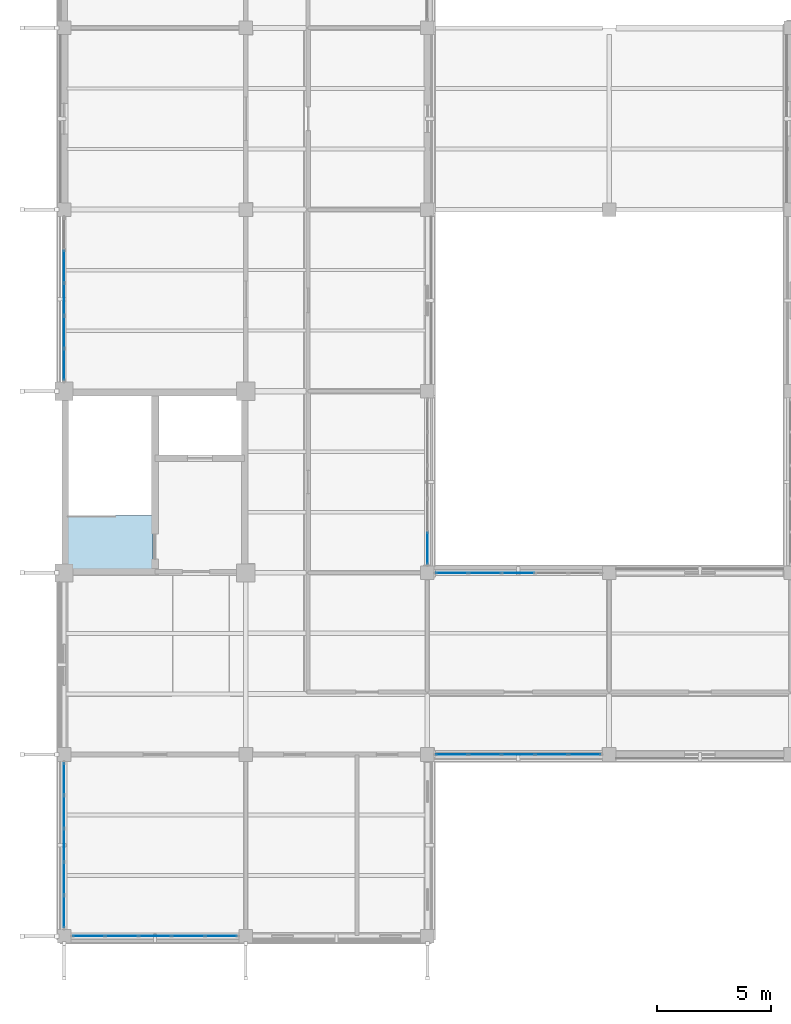
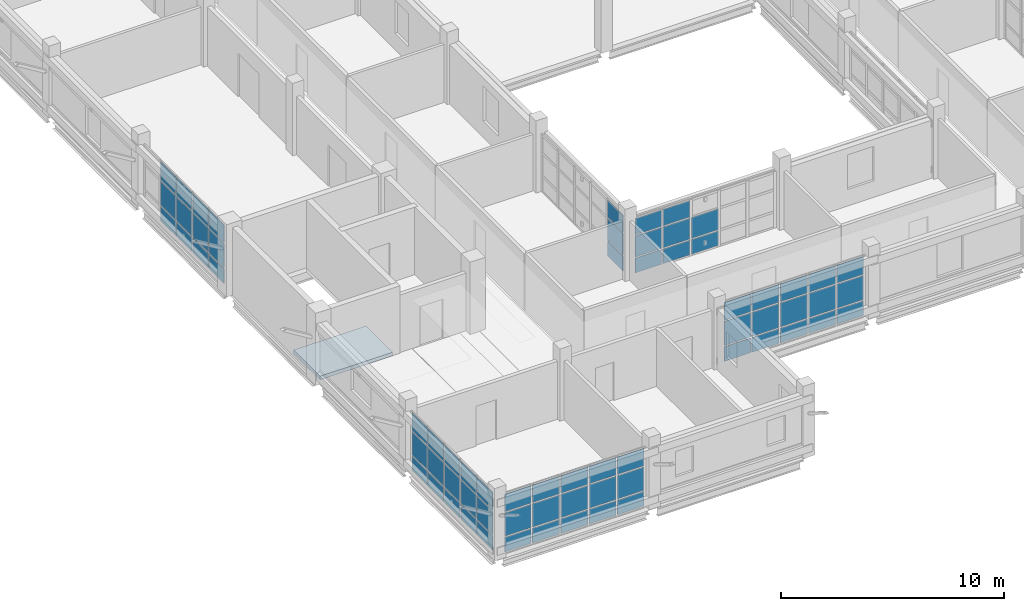
# One storey, part 65 of 126: 68 plates, 1 slab, 6 elements without a shape of their own.
"""IFC4 building model written with IfcOpenShell, lengths in metres."""

from ifc_helpers import new_model, si_unit, derived_unit, direction, frame, origin, origin_2d, place, context, subcontext, project, spatial, polyline, rectangle, outline, extrude, material, layer, layer_set, type_object, element, aggregate, save


model = new_model("IFC4")

# Units and contexts
model_context = context("Model", 3, precision=1e-05, world=origin(), true_north=direction((0.0, 1.0)))
body_context = subcontext(model_context, "Body", "Model", "MODEL_VIEW")
ifc_project = project(units=[si_unit("LENGTHUNIT", "METRE"), si_unit("AREAUNIT", "SQUARE_METRE"), si_unit("VOLUMEUNIT", "CUBIC_METRE"), si_unit("PLANEANGLEUNIT", "RADIAN"), si_unit("MASSUNIT", "GRAM", prefix="KILO"), derived_unit("THERMALTRANSMITTANCEUNIT", [(si_unit("MASSUNIT", "GRAM", prefix="KILO"), 1), (si_unit("TIMEUNIT", "SECOND"), -3), (si_unit("THERMODYNAMICTEMPERATUREUNIT", "KELVIN"), -1)])], contexts=[model_context])

# Site, building, storey
site_placement = place(None, origin())
site = spatial("IfcSite", under=ifc_project, at=site_placement, CompositionType="ELEMENT")
building_placement = place(site_placement, origin())
building = spatial("IfcBuilding", under=site, at=building_placement, Name="Veyamyaing Civic Hall", CompositionType="ELEMENT")
storey_placement = place(building_placement, frame((0.0, 0.0, 9.89990234375)))
storey = spatial("IfcBuildingStorey", under=building, at=storey_placement, Name="L02", CompositionType="ELEMENT", Elevation=9.89990234375)

# Curtain wall, plates
ifc_material_1 = material(Name="Anodised aluminium 6063-T6", Category="aluminium")
ifc_layer_1 = layer(ifc_material_1, 0.159912109375, Name="Anodised aluminium 6063-T6")
ifc_layer_set_1 = layer_set([ifc_layer_1], Name="Anodised aluminium 6063-T6")
curtain_wall_type = type_object("IfcCurtainWallType", Name="CW-03", PredefinedType="NOTDEFINED", material=ifc_layer_set_1)
curtain_wall_1_placement = place(storey_placement, origin())
curtain_wall_1 = element("IfcCurtainWall", 1, at=curtain_wall_1_placement, inside=storey, type_object=curtain_wall_type, Name="Unitized curtain wall CW-03 L02 W 1.4", PredefinedType="NOTDEFINED")
ifc_material_2 = material(Name="Low-E insulated glass", Category="glass")
ifc_layer_2 = layer(ifc_material_2, 0.028076171875, Name="Low-E insulated glass")
ifc_layer_set_2 = layer_set([ifc_layer_2], Name="Low-E insulated glass")
plate_type_1 = type_object("IfcPlateType", Name="CWP-01", PredefinedType="CURTAIN_PANEL", material=ifc_layer_set_2)
plate_1_placement = place(storey_placement, frame((0.0, 25.170166015625, 0.06494140625), z_axis=(0.0, 0.0, 1.0), x_axis=(0.0, 1.0, 0.0)))
plate_1 = element("IfcPlate", 2, at=plate_1_placement, type_object=plate_type_1, Name="CW-03 panel 1.1", PredefinedType="CURTAIN_PANEL", context=body_context, shape_type="SweptSolid", body=[
    extrude(rectangle(XDim=1.3505859375, YDim=0.028076171875, at=origin_2d()), origin(), (0.0, 0.0, 1.0), 0.802490234375),
])
plate_2_placement = place(storey_placement, frame((0.0, 25.170166015625, 0.9326171875), z_axis=(0.0, 0.0, 1.0), x_axis=(0.0, 1.0, 0.0)))
plate_2 = element("IfcPlate", 3, at=plate_2_placement, type_object=plate_type_1, Name="CW-03 panel 1.2", PredefinedType="CURTAIN_PANEL", context=body_context, shape_type="SweptSolid", body=[
    extrude(rectangle(XDim=1.3505859375, YDim=0.028076171875, at=origin_2d()), origin(), (0.0, 0.0, 1.0), 1.319091796875),
])
plate_3_placement = place(storey_placement, frame((0.0, 25.170166015625, 2.31689453125), z_axis=(0.0, 0.0, 1.0), x_axis=(0.0, 1.0, 0.0)))
plate_3 = element("IfcPlate", 4, at=plate_3_placement, type_object=plate_type_1, Name="CW-03 panel 1.3", PredefinedType="CURTAIN_PANEL", context=body_context, shape_type="SweptSolid", body=[
    extrude(rectangle(XDim=1.3505859375, YDim=0.028076171875, at=origin_2d()), origin(), (0.0, 0.0, 1.0), 0.977294921875),
])
plate_4_placement = place(storey_placement, frame((0.0, 26.60205078125, 0.06494140625), z_axis=(0.0, 0.0, 1.0), x_axis=(0.0, 1.0, 0.0)))
plate_4 = element("IfcPlate", 5, at=plate_4_placement, type_object=plate_type_1, Name="CW-03 panel 2.1", PredefinedType="CURTAIN_PANEL", context=body_context, shape_type="SweptSolid", body=[
    extrude(rectangle(XDim=1.383056640625, YDim=0.028076171875, at=origin_2d()), origin(), (0.0, 0.0, 1.0), 0.802490234375),
])
plate_5_placement = place(storey_placement, frame((0.0, 26.60205078125, 0.9326171875), z_axis=(0.0, 0.0, 1.0), x_axis=(0.0, 1.0, 0.0)))
plate_5 = element("IfcPlate", 6, at=plate_5_placement, type_object=plate_type_1, Name="CW-03 panel 2.2", PredefinedType="CURTAIN_PANEL", context=body_context, shape_type="SweptSolid", body=[
    extrude(rectangle(XDim=1.383056640625, YDim=0.028076171875, at=origin_2d()), origin(), (0.0, 0.0, 1.0), 1.319091796875),
])
plate_6_placement = place(storey_placement, frame((0.0, 26.60205078125, 2.31689453125), z_axis=(0.0, 0.0, 1.0), x_axis=(0.0, 1.0, 0.0)))
plate_6 = element("IfcPlate", 7, at=plate_6_placement, type_object=plate_type_1, Name="CW-03 panel 2.3", PredefinedType="CURTAIN_PANEL", context=body_context, shape_type="SweptSolid", body=[
    extrude(rectangle(XDim=1.383056640625, YDim=0.028076171875, at=origin_2d()), origin(), (0.0, 0.0, 1.0), 0.977294921875),
])
plate_7_placement = place(storey_placement, frame((0.0, 28.050048828125, 0.06494140625), z_axis=(0.0, 0.0, 1.0), x_axis=(0.0, 1.0, 0.0)))
plate_7 = element("IfcPlate", 8, at=plate_7_placement, type_object=plate_type_1, Name="CW-03 panel 3.1", PredefinedType="CURTAIN_PANEL", context=body_context, shape_type="SweptSolid", body=[
    extrude(rectangle(XDim=1.383056640625, YDim=0.028076171875, at=origin_2d()), origin(), (0.0, 0.0, 1.0), 0.802490234375),
])
plate_8_placement = place(storey_placement, frame((0.0, 28.050048828125, 0.9326171875), z_axis=(0.0, 0.0, 1.0), x_axis=(0.0, 1.0, 0.0)))
plate_8 = element("IfcPlate", 9, at=plate_8_placement, type_object=plate_type_1, Name="CW-03 panel 3.2", PredefinedType="CURTAIN_PANEL", context=body_context, shape_type="SweptSolid", body=[
    extrude(rectangle(XDim=1.383056640625, YDim=0.028076171875, at=origin_2d()), origin(), (0.0, 0.0, 1.0), 1.319091796875),
])
plate_9_placement = place(storey_placement, frame((0.0, 28.050048828125, 2.31689453125), z_axis=(0.0, 0.0, 1.0), x_axis=(0.0, 1.0, 0.0)))
plate_9 = element("IfcPlate", 10, at=plate_9_placement, type_object=plate_type_1, Name="CW-03 panel 3.3", PredefinedType="CURTAIN_PANEL", context=body_context, shape_type="SweptSolid", body=[
    extrude(rectangle(XDim=1.383056640625, YDim=0.028076171875, at=origin_2d()), origin(), (0.0, 0.0, 1.0), 0.977294921875),
])
plate_10_placement = place(storey_placement, frame((0.0, 29.498046875, 0.06494140625), z_axis=(0.0, 0.0, 1.0), x_axis=(0.0, 1.0, 0.0)))
plate_10 = element("IfcPlate", 11, at=plate_10_placement, type_object=plate_type_1, Name="CW-03 panel 4.1", PredefinedType="CURTAIN_PANEL", context=body_context, shape_type="SweptSolid", body=[
    extrude(rectangle(XDim=1.383056640625, YDim=0.028076171875, at=origin_2d()), origin(), (0.0, 0.0, 1.0), 0.802490234375),
])
plate_11_placement = place(storey_placement, frame((0.0, 29.498046875, 0.9326171875), z_axis=(0.0, 0.0, 1.0), x_axis=(0.0, 1.0, 0.0)))
plate_11 = element("IfcPlate", 12, at=plate_11_placement, type_object=plate_type_1, Name="CW-03 panel 4.2", PredefinedType="CURTAIN_PANEL", context=body_context, shape_type="SweptSolid", body=[
    extrude(rectangle(XDim=1.383056640625, YDim=0.028076171875, at=origin_2d()), origin(), (0.0, 0.0, 1.0), 1.319091796875),
])
plate_12_placement = place(storey_placement, frame((0.0, 29.498046875, 2.31689453125), z_axis=(0.0, 0.0, 1.0), x_axis=(0.0, 1.0, 0.0)))
plate_12 = element("IfcPlate", 13, at=plate_12_placement, type_object=plate_type_1, Name="CW-03 panel 4.3", PredefinedType="CURTAIN_PANEL", context=body_context, shape_type="SweptSolid", body=[
    extrude(rectangle(XDim=1.383056640625, YDim=0.028076171875, at=origin_2d()), origin(), (0.0, 0.0, 1.0), 0.977294921875),
])
aggregate(curtain_wall_1, [plate_1, plate_2, plate_3, plate_4, plate_5, plate_6, plate_7, plate_8, plate_9, plate_10, plate_11, plate_12])

curtain_wall_2_placement = place(storey_placement, origin())
curtain_wall_2 = element("IfcCurtainWall", 14, at=curtain_wall_2_placement, inside=storey, type_object=curtain_wall_type, Name="Unitized curtain wall CW-03 L02 E 2.3", PredefinedType="NOTDEFINED")
plate_13_placement = place(storey_placement, frame((16.0, 17.080322265625, 0.06494140625), z_axis=(0.0, 0.0, 1.0), x_axis=(0.0, 1.0, 0.0)))
plate_13 = element("IfcPlate", 15, at=plate_13_placement, type_object=plate_type_1, Name="CW-03 panel 1.1", PredefinedType="CURTAIN_PANEL", context=body_context, shape_type="SweptSolid", body=[
    extrude(rectangle(XDim=1.37060546875, YDim=0.028076171875, at=origin_2d()), origin(), (0.0, 0.0, 1.0), 0.802490234375),
])
plate_14_placement = place(storey_placement, frame((16.0, 17.080322265625, 0.9326171875), z_axis=(0.0, 0.0, 1.0), x_axis=(0.0, 1.0, 0.0)))
plate_14 = element("IfcPlate", 16, at=plate_14_placement, type_object=plate_type_1, Name="CW-03 panel 1.2", PredefinedType="CURTAIN_PANEL", context=body_context, shape_type="SweptSolid", body=[
    extrude(rectangle(XDim=1.37060546875, YDim=0.028076171875, at=origin_2d()), origin(), (0.0, 0.0, 1.0), 1.19677734375),
])
plate_15_placement = place(storey_placement, frame((16.0, 17.080322265625, 2.1943359375), z_axis=(0.0, 0.0, 1.0), x_axis=(0.0, 1.0, 0.0)))
plate_15 = element("IfcPlate", 17, at=plate_15_placement, type_object=plate_type_1, Name="CW-03 panel 1.3", PredefinedType="CURTAIN_PANEL", context=body_context, shape_type="SweptSolid", body=[
    extrude(rectangle(XDim=1.37060546875, YDim=0.028076171875, at=origin_2d()), origin(), (0.0, 0.0, 1.0), 0.919921875),
])
aggregate(curtain_wall_2, [plate_13, plate_14, plate_15])

curtain_wall_3_placement = place(storey_placement, origin())
curtain_wall_3 = element("IfcCurtainWall", 18, at=curtain_wall_3_placement, inside=storey, type_object=curtain_wall_type, Name="Unitized curtain wall CW-03 L02 S 3.2", PredefinedType="NOTDEFINED")
plate_16_placement = place(storey_placement, frame((17.080322265625, 8.0, 0.06494140625), z_axis=(0.0, 0.0, 1.0), x_axis=(1.0, 0.0, 0.0)))
plate_16 = element("IfcPlate", 19, at=plate_16_placement, type_object=plate_type_1, Name="CW-03 panel 1.1", PredefinedType="CURTAIN_PANEL", context=body_context, shape_type="SweptSolid", body=[
    extrude(rectangle(XDim=1.37060546875, YDim=0.028076171875, at=origin_2d()), origin(), (0.0, 0.0, 1.0), 0.802490234375),
])
plate_17_placement = place(storey_placement, frame((17.080322265625, 8.0, 0.9326171875), z_axis=(0.0, 0.0, 1.0), x_axis=(1.0, 0.0, 0.0)))
plate_17 = element("IfcPlate", 20, at=plate_17_placement, type_object=plate_type_1, Name="CW-03 panel 1.2", PredefinedType="CURTAIN_PANEL", context=body_context, shape_type="SweptSolid", body=[
    extrude(rectangle(XDim=1.37060546875, YDim=0.028076171875, at=origin_2d()), origin(), (0.0, 0.0, 1.0), 1.319091796875),
])
plate_18_placement = place(storey_placement, frame((17.080322265625, 8.0, 2.31689453125), z_axis=(0.0, 0.0, 1.0), x_axis=(1.0, 0.0, 0.0)))
plate_18 = element("IfcPlate", 21, at=plate_18_placement, type_object=plate_type_1, Name="CW-03 panel 1.3", PredefinedType="CURTAIN_PANEL", context=body_context, shape_type="SweptSolid", body=[
    extrude(rectangle(XDim=1.37060546875, YDim=0.028076171875, at=origin_2d()), origin(), (0.0, 0.0, 1.0), 0.977294921875),
])
plate_19_placement = place(storey_placement, frame((18.531982421875, 8.0, 0.06494140625), z_axis=(0.0, 0.0, 1.0), x_axis=(1.0, 0.0, 0.0)))
plate_19 = element("IfcPlate", 22, at=plate_19_placement, type_object=plate_type_1, Name="CW-03 panel 2.1", PredefinedType="CURTAIN_PANEL", context=body_context, shape_type="SweptSolid", body=[
    extrude(rectangle(XDim=1.403076171875, YDim=0.028076171875, at=origin_2d()), origin(), (0.0, 0.0, 1.0), 0.802490234375),
])
plate_20_placement = place(storey_placement, frame((18.531982421875, 8.0, 0.9326171875), z_axis=(0.0, 0.0, 1.0), x_axis=(1.0, 0.0, 0.0)))
plate_20 = element("IfcPlate", 23, at=plate_20_placement, type_object=plate_type_1, Name="CW-03 panel 2.2", PredefinedType="CURTAIN_PANEL", context=body_context, shape_type="SweptSolid", body=[
    extrude(rectangle(XDim=1.403076171875, YDim=0.028076171875, at=origin_2d()), origin(), (0.0, 0.0, 1.0), 1.319091796875),
])
plate_21_placement = place(storey_placement, frame((18.531982421875, 8.0, 2.31689453125), z_axis=(0.0, 0.0, 1.0), x_axis=(1.0, 0.0, 0.0)))
plate_21 = element("IfcPlate", 24, at=plate_21_placement, type_object=plate_type_1, Name="CW-03 panel 2.3", PredefinedType="CURTAIN_PANEL", context=body_context, shape_type="SweptSolid", body=[
    extrude(rectangle(XDim=1.403076171875, YDim=0.028076171875, at=origin_2d()), origin(), (0.0, 0.0, 1.0), 0.977294921875),
])
plate_22_placement = place(storey_placement, frame((20.0, 8.0, 0.06494140625), z_axis=(0.0, 0.0, 1.0), x_axis=(1.0, 0.0, 0.0)))
plate_22 = element("IfcPlate", 25, at=plate_22_placement, type_object=plate_type_1, Name="CW-03 panel 3.1", PredefinedType="CURTAIN_PANEL", context=body_context, shape_type="SweptSolid", body=[
    extrude(rectangle(XDim=1.403076171875, YDim=0.028076171875, at=origin_2d()), origin(), (0.0, 0.0, 1.0), 0.802490234375),
])
plate_23_placement = place(storey_placement, frame((20.0, 8.0, 0.9326171875), z_axis=(0.0, 0.0, 1.0), x_axis=(1.0, 0.0, 0.0)))
plate_23 = element("IfcPlate", 26, at=plate_23_placement, type_object=plate_type_1, Name="CW-03 panel 3.2", PredefinedType="CURTAIN_PANEL", context=body_context, shape_type="SweptSolid", body=[
    extrude(rectangle(XDim=1.403076171875, YDim=0.028076171875, at=origin_2d()), origin(), (0.0, 0.0, 1.0), 1.319091796875),
])
plate_24_placement = place(storey_placement, frame((20.0, 8.0, 2.31689453125), z_axis=(0.0, 0.0, 1.0), x_axis=(1.0, 0.0, 0.0)))
plate_24 = element("IfcPlate", 27, at=plate_24_placement, type_object=plate_type_1, Name="CW-03 panel 3.3", PredefinedType="CURTAIN_PANEL", context=body_context, shape_type="SweptSolid", body=[
    extrude(rectangle(XDim=1.403076171875, YDim=0.028076171875, at=origin_2d()), origin(), (0.0, 0.0, 1.0), 0.977294921875),
])
plate_25_placement = place(storey_placement, frame((21.468017578125, 8.0, 0.06494140625), z_axis=(0.0, 0.0, 1.0), x_axis=(1.0, 0.0, 0.0)))
plate_25 = element("IfcPlate", 28, at=plate_25_placement, type_object=plate_type_1, Name="CW-03 panel 4.1", PredefinedType="CURTAIN_PANEL", context=body_context, shape_type="SweptSolid", body=[
    extrude(rectangle(XDim=1.403076171875, YDim=0.028076171875, at=origin_2d()), origin(), (0.0, 0.0, 1.0), 0.802490234375),
])
plate_26_placement = place(storey_placement, frame((21.468017578125, 8.0, 0.9326171875), z_axis=(0.0, 0.0, 1.0), x_axis=(1.0, 0.0, 0.0)))
plate_26 = element("IfcPlate", 29, at=plate_26_placement, type_object=plate_type_1, Name="CW-03 panel 4.2", PredefinedType="CURTAIN_PANEL", context=body_context, shape_type="SweptSolid", body=[
    extrude(rectangle(XDim=1.403076171875, YDim=0.028076171875, at=origin_2d()), origin(), (0.0, 0.0, 1.0), 1.319091796875),
])
plate_27_placement = place(storey_placement, frame((21.468017578125, 8.0, 2.31689453125), z_axis=(0.0, 0.0, 1.0), x_axis=(1.0, 0.0, 0.0)))
plate_27 = element("IfcPlate", 30, at=plate_27_placement, type_object=plate_type_1, Name="CW-03 panel 4.3", PredefinedType="CURTAIN_PANEL", context=body_context, shape_type="SweptSolid", body=[
    extrude(rectangle(XDim=1.403076171875, YDim=0.028076171875, at=origin_2d()), origin(), (0.0, 0.0, 1.0), 0.977294921875),
])
plate_28_placement = place(storey_placement, frame((22.919677734375, 8.0, 0.06494140625), z_axis=(0.0, 0.0, 1.0), x_axis=(1.0, 0.0, 0.0)))
plate_28 = element("IfcPlate", 31, at=plate_28_placement, type_object=plate_type_1, Name="CW-03 panel 5.1", PredefinedType="CURTAIN_PANEL", context=body_context, shape_type="SweptSolid", body=[
    extrude(rectangle(XDim=1.37060546875, YDim=0.028076171875, at=origin_2d()), origin(), (0.0, 0.0, 1.0), 0.802490234375),
])
plate_29_placement = place(storey_placement, frame((22.919677734375, 8.0, 0.9326171875), z_axis=(0.0, 0.0, 1.0), x_axis=(1.0, 0.0, 0.0)))
plate_29 = element("IfcPlate", 32, at=plate_29_placement, type_object=plate_type_1, Name="CW-03 panel 5.2", PredefinedType="CURTAIN_PANEL", context=body_context, shape_type="SweptSolid", body=[
    extrude(rectangle(XDim=1.37060546875, YDim=0.028076171875, at=origin_2d()), origin(), (0.0, 0.0, 1.0), 1.319091796875),
])
plate_30_placement = place(storey_placement, frame((22.919677734375, 8.0, 2.31689453125), z_axis=(0.0, 0.0, 1.0), x_axis=(1.0, 0.0, 0.0)))
plate_30 = element("IfcPlate", 33, at=plate_30_placement, type_object=plate_type_1, Name="CW-03 panel 5.3", PredefinedType="CURTAIN_PANEL", context=body_context, shape_type="SweptSolid", body=[
    extrude(rectangle(XDim=1.37060546875, YDim=0.028076171875, at=origin_2d()), origin(), (0.0, 0.0, 1.0), 0.977294921875),
])
aggregate(curtain_wall_3, [plate_16, plate_17, plate_18, plate_19, plate_20, plate_21, plate_22, plate_23, plate_24, plate_25, plate_26, plate_27, plate_28, plate_29, plate_30])

curtain_wall_4_placement = place(storey_placement, origin())
curtain_wall_4 = element("IfcCurtainWall", 34, at=curtain_wall_4_placement, inside=storey, type_object=curtain_wall_type, Name="Unitized curtain wall CW-03 L02 N 3.2", PredefinedType="NOTDEFINED")
plate_31_placement = place(storey_placement, frame((17.080322265625, 16.0, 0.06494140625), z_axis=(0.0, 0.0, 1.0), x_axis=(1.0, 0.0, 0.0)))
plate_31 = element("IfcPlate", 35, at=plate_31_placement, type_object=plate_type_1, Name="CW-03 panel 1.1", PredefinedType="CURTAIN_PANEL", context=body_context, shape_type="SweptSolid", body=[
    extrude(rectangle(XDim=1.37060546875, YDim=0.028076171875, at=origin_2d()), origin(), (0.0, 0.0, 1.0), 0.802490234375),
])
plate_32_placement = place(storey_placement, frame((17.080322265625, 16.0, 0.9326171875), z_axis=(0.0, 0.0, 1.0), x_axis=(1.0, 0.0, 0.0)))
plate_32 = element("IfcPlate", 36, at=plate_32_placement, type_object=plate_type_1, Name="CW-03 panel 1.2", PredefinedType="CURTAIN_PANEL", context=body_context, shape_type="SweptSolid", body=[
    extrude(rectangle(XDim=1.37060546875, YDim=0.028076171875, at=origin_2d()), origin(), (0.0, 0.0, 1.0), 1.145751953125),
])
plate_33_placement = place(storey_placement, frame((17.080322265625, 16.0, 2.1435546875), z_axis=(0.0, 0.0, 1.0), x_axis=(1.0, 0.0, 0.0)))
plate_33 = element("IfcPlate", 37, at=plate_33_placement, type_object=plate_type_1, Name="CW-03 panel 1.3", PredefinedType="CURTAIN_PANEL", context=body_context, shape_type="SweptSolid", body=[
    extrude(rectangle(XDim=1.37060546875, YDim=0.028076171875, at=origin_2d()), origin(), (0.0, 0.0, 1.0), 0.895751953125),
])
plate_34_placement = place(storey_placement, frame((18.531982421875, 16.0, 0.06494140625), z_axis=(0.0, 0.0, 1.0), x_axis=(1.0, 0.0, 0.0)))
plate_34 = element("IfcPlate", 38, at=plate_34_placement, type_object=plate_type_1, Name="CW-03 panel 2.1", PredefinedType="CURTAIN_PANEL", context=body_context, shape_type="SweptSolid", body=[
    extrude(rectangle(XDim=1.403076171875, YDim=0.028076171875, at=origin_2d()), origin(), (0.0, 0.0, 1.0), 0.802490234375),
])
plate_35_placement = place(storey_placement, frame((18.531982421875, 16.0, 0.9326171875), z_axis=(0.0, 0.0, 1.0), x_axis=(1.0, 0.0, 0.0)))
plate_35 = element("IfcPlate", 39, at=plate_35_placement, type_object=plate_type_1, Name="CW-03 panel 2.2", PredefinedType="CURTAIN_PANEL", context=body_context, shape_type="SweptSolid", body=[
    extrude(rectangle(XDim=1.403076171875, YDim=0.028076171875, at=origin_2d()), origin(), (0.0, 0.0, 1.0), 1.145751953125),
])
plate_36_placement = place(storey_placement, frame((18.531982421875, 16.0, 2.1435546875), z_axis=(0.0, 0.0, 1.0), x_axis=(1.0, 0.0, 0.0)))
plate_36 = element("IfcPlate", 40, at=plate_36_placement, type_object=plate_type_1, Name="CW-03 panel 2.3", PredefinedType="CURTAIN_PANEL", context=body_context, shape_type="SweptSolid", body=[
    extrude(rectangle(XDim=1.403076171875, YDim=0.028076171875, at=origin_2d()), origin(), (0.0, 0.0, 1.0), 0.895751953125),
])
plate_37_placement = place(storey_placement, frame((20.0, 16.0, 0.06494140625), z_axis=(0.0, 0.0, 1.0), x_axis=(1.0, 0.0, 0.0)))
plate_37 = element("IfcPlate", 41, at=plate_37_placement, type_object=plate_type_1, Name="CW-03 panel 3.1", PredefinedType="CURTAIN_PANEL", context=body_context, shape_type="SweptSolid", body=[
    extrude(rectangle(XDim=1.403076171875, YDim=0.028076171875, at=origin_2d()), origin(), (0.0, 0.0, 1.0), 0.802490234375),
])
plate_38_placement = place(storey_placement, frame((20.0, 16.0, 0.9326171875), z_axis=(0.0, 0.0, 1.0), x_axis=(1.0, 0.0, 0.0)))
plate_38 = element("IfcPlate", 42, at=plate_38_placement, type_object=plate_type_1, Name="CW-03 panel 3.2", PredefinedType="CURTAIN_PANEL", context=body_context, shape_type="SweptSolid", body=[
    extrude(rectangle(XDim=1.403076171875, YDim=0.028076171875, at=origin_2d()), origin(), (0.0, 0.0, 1.0), 1.145751953125),
])
aggregate(curtain_wall_4, [plate_31, plate_32, plate_33, plate_34, plate_35, plate_36, plate_37, plate_38])

curtain_wall_5_placement = place(storey_placement, origin())
curtain_wall_5 = element("IfcCurtainWall", 43, at=curtain_wall_5_placement, inside=storey, type_object=curtain_wall_type, Name="Unitized curtain wall CW-03 L02 S 1.1", PredefinedType="NOTDEFINED")
ifc_layer_3 = layer(ifc_material_2, 0.02392578125, Name="Low-E insulated glass")
ifc_layer_set_3 = layer_set([ifc_layer_3], Name="Low-E insulated glass")
plate_type_2 = type_object("IfcPlateType", Name="CWP-04", PredefinedType="CURTAIN_PANEL", material=ifc_layer_set_3)
plate_39_placement = place(storey_placement, frame((1.080322265625, 0.0, 0.06494140625), z_axis=(0.0, 0.0, 1.0), x_axis=(1.0, 0.0, 0.0)))
plate_39 = element("IfcPlate", 44, at=plate_39_placement, type_object=plate_type_2, Name="CW-03 panel 1.1", PredefinedType="CURTAIN_PANEL", context=body_context, shape_type="SweptSolid", body=[
    extrude(rectangle(XDim=1.37060546875, YDim=0.02392578125, at=origin_2d()), origin(), (0.0, 0.0, 1.0), 0.802490234375),
])
plate_40_placement = place(storey_placement, frame((1.080322265625, 0.0, 0.9326171875), z_axis=(0.0, 0.0, 1.0), x_axis=(1.0, 0.0, 0.0)))
plate_40 = element("IfcPlate", 45, at=plate_40_placement, type_object=plate_type_2, Name="CW-03 panel 1.2", PredefinedType="CURTAIN_PANEL", context=body_context, shape_type="SweptSolid", body=[
    extrude(rectangle(XDim=1.37060546875, YDim=0.02392578125, at=origin_2d()), origin(), (0.0, 0.0, 1.0), 1.2783203125),
])
plate_41_placement = place(storey_placement, frame((1.080322265625, 0.0, 2.27587890625), z_axis=(0.0, 0.0, 1.0), x_axis=(1.0, 0.0, 0.0)))
plate_41 = element("IfcPlate", 46, at=plate_41_placement, type_object=plate_type_2, Name="CW-03 panel 1.3", PredefinedType="CURTAIN_PANEL", context=body_context, shape_type="SweptSolid", body=[
    extrude(rectangle(XDim=1.37060546875, YDim=0.02392578125, at=origin_2d()), origin(), (0.0, 0.0, 1.0), 0.958251953125),
])
plate_42_placement = place(storey_placement, frame((2.531982421875, 0.0, 0.06494140625), z_axis=(0.0, 0.0, 1.0), x_axis=(1.0, 0.0, 0.0)))
plate_42 = element("IfcPlate", 47, at=plate_42_placement, type_object=plate_type_2, Name="CW-03 panel 2.1", PredefinedType="CURTAIN_PANEL", context=body_context, shape_type="SweptSolid", body=[
    extrude(rectangle(XDim=1.403076171875, YDim=0.02392578125, at=origin_2d()), origin(), (0.0, 0.0, 1.0), 0.802490234375),
])
plate_43_placement = place(storey_placement, frame((2.531982421875, 0.0, 0.9326171875), z_axis=(0.0, 0.0, 1.0), x_axis=(1.0, 0.0, 0.0)))
plate_43 = element("IfcPlate", 48, at=plate_43_placement, type_object=plate_type_2, Name="CW-03 panel 2.2", PredefinedType="CURTAIN_PANEL", context=body_context, shape_type="SweptSolid", body=[
    extrude(rectangle(XDim=1.403076171875, YDim=0.02392578125, at=origin_2d()), origin(), (0.0, 0.0, 1.0), 1.2783203125),
])
plate_44_placement = place(storey_placement, frame((2.531982421875, 0.0, 2.27587890625), z_axis=(0.0, 0.0, 1.0), x_axis=(1.0, 0.0, 0.0)))
plate_44 = element("IfcPlate", 49, at=plate_44_placement, type_object=plate_type_2, Name="CW-03 panel 2.3", PredefinedType="CURTAIN_PANEL", context=body_context, shape_type="SweptSolid", body=[
    extrude(rectangle(XDim=1.403076171875, YDim=0.02392578125, at=origin_2d()), origin(), (0.0, 0.0, 1.0), 0.958251953125),
])
plate_45_placement = place(storey_placement, frame((4.0, 0.0, 0.06494140625), z_axis=(0.0, 0.0, 1.0), x_axis=(1.0, 0.0, 0.0)))
plate_45 = element("IfcPlate", 50, at=plate_45_placement, type_object=plate_type_2, Name="CW-03 panel 3.1", PredefinedType="CURTAIN_PANEL", context=body_context, shape_type="SweptSolid", body=[
    extrude(rectangle(XDim=1.403076171875, YDim=0.02392578125, at=origin_2d()), origin(), (0.0, 0.0, 1.0), 0.802490234375),
])
plate_46_placement = place(storey_placement, frame((4.0, 0.0, 0.9326171875), z_axis=(0.0, 0.0, 1.0), x_axis=(1.0, 0.0, 0.0)))
plate_46 = element("IfcPlate", 51, at=plate_46_placement, type_object=plate_type_2, Name="CW-03 panel 3.2", PredefinedType="CURTAIN_PANEL", context=body_context, shape_type="SweptSolid", body=[
    extrude(rectangle(XDim=1.403076171875, YDim=0.02392578125, at=origin_2d()), origin(), (0.0, 0.0, 1.0), 1.2783203125),
])
plate_47_placement = place(storey_placement, frame((4.0, 0.0, 2.27587890625), z_axis=(0.0, 0.0, 1.0), x_axis=(1.0, 0.0, 0.0)))
plate_47 = element("IfcPlate", 52, at=plate_47_placement, type_object=plate_type_2, Name="CW-03 panel 3.3", PredefinedType="CURTAIN_PANEL", context=body_context, shape_type="SweptSolid", body=[
    extrude(rectangle(XDim=1.403076171875, YDim=0.02392578125, at=origin_2d()), origin(), (0.0, 0.0, 1.0), 0.958251953125),
])
plate_48_placement = place(storey_placement, frame((5.468017578125, 0.0, 0.06494140625), z_axis=(0.0, 0.0, 1.0), x_axis=(1.0, 0.0, 0.0)))
plate_48 = element("IfcPlate", 53, at=plate_48_placement, type_object=plate_type_2, Name="CW-03 panel 4.1", PredefinedType="CURTAIN_PANEL", context=body_context, shape_type="SweptSolid", body=[
    extrude(rectangle(XDim=1.403076171875, YDim=0.02392578125, at=origin_2d()), origin(), (0.0, 0.0, 1.0), 0.802490234375),
])
plate_49_placement = place(storey_placement, frame((5.468017578125, 0.0, 0.9326171875), z_axis=(0.0, 0.0, 1.0), x_axis=(1.0, 0.0, 0.0)))
plate_49 = element("IfcPlate", 54, at=plate_49_placement, type_object=plate_type_2, Name="CW-03 panel 4.2", PredefinedType="CURTAIN_PANEL", context=body_context, shape_type="SweptSolid", body=[
    extrude(rectangle(XDim=1.403076171875, YDim=0.02392578125, at=origin_2d()), origin(), (0.0, 0.0, 1.0), 1.2783203125),
])
plate_50_placement = place(storey_placement, frame((5.468017578125, 0.0, 2.27587890625), z_axis=(0.0, 0.0, 1.0), x_axis=(1.0, 0.0, 0.0)))
plate_50 = element("IfcPlate", 55, at=plate_50_placement, type_object=plate_type_2, Name="CW-03 panel 4.3", PredefinedType="CURTAIN_PANEL", context=body_context, shape_type="SweptSolid", body=[
    extrude(rectangle(XDim=1.403076171875, YDim=0.02392578125, at=origin_2d()), origin(), (0.0, 0.0, 1.0), 0.958251953125),
])
plate_51_placement = place(storey_placement, frame((6.919677734375, 0.0, 0.06494140625), z_axis=(0.0, 0.0, 1.0), x_axis=(1.0, 0.0, 0.0)))
plate_51 = element("IfcPlate", 56, at=plate_51_placement, type_object=plate_type_2, Name="CW-03 panel 5.1", PredefinedType="CURTAIN_PANEL", context=body_context, shape_type="SweptSolid", body=[
    extrude(rectangle(XDim=1.37060546875, YDim=0.02392578125, at=origin_2d()), origin(), (0.0, 0.0, 1.0), 0.802490234375),
])
plate_52_placement = place(storey_placement, frame((6.919677734375, 0.0, 0.9326171875), z_axis=(0.0, 0.0, 1.0), x_axis=(1.0, 0.0, 0.0)))
plate_52 = element("IfcPlate", 57, at=plate_52_placement, type_object=plate_type_2, Name="CW-03 panel 5.2", PredefinedType="CURTAIN_PANEL", context=body_context, shape_type="SweptSolid", body=[
    extrude(rectangle(XDim=1.37060546875, YDim=0.02392578125, at=origin_2d()), origin(), (0.0, 0.0, 1.0), 1.2783203125),
])
plate_53_placement = place(storey_placement, frame((6.919677734375, 0.0, 2.27587890625), z_axis=(0.0, 0.0, 1.0), x_axis=(1.0, 0.0, 0.0)))
plate_53 = element("IfcPlate", 58, at=plate_53_placement, type_object=plate_type_2, Name="CW-03 panel 5.3", PredefinedType="CURTAIN_PANEL", context=body_context, shape_type="SweptSolid", body=[
    extrude(rectangle(XDim=1.37060546875, YDim=0.02392578125, at=origin_2d()), origin(), (0.0, 0.0, 1.0), 0.958251953125),
])
aggregate(curtain_wall_5, [plate_39, plate_40, plate_41, plate_42, plate_43, plate_44, plate_45, plate_46, plate_47, plate_48, plate_49, plate_50, plate_51, plate_52, plate_53])

curtain_wall_6_placement = place(storey_placement, origin())
curtain_wall_6 = element("IfcCurtainWall", 59, at=curtain_wall_6_placement, inside=storey, type_object=curtain_wall_type, Name="Unitized curtain wall CW-03 L02 W 1.1", PredefinedType="NOTDEFINED")
plate_54_placement = place(storey_placement, frame((0.0, 1.080322265625, 0.06494140625), z_axis=(0.0, 0.0, 1.0), x_axis=(0.0, 1.0, 0.0)))
plate_54 = element("IfcPlate", 60, at=plate_54_placement, type_object=plate_type_2, Name="CW-03 panel 1.1", PredefinedType="CURTAIN_PANEL", context=body_context, shape_type="SweptSolid", body=[
    extrude(rectangle(XDim=1.37060546875, YDim=0.02392578125, at=origin_2d()), origin(), (0.0, 0.0, 1.0), 0.802490234375),
])
plate_55_placement = place(storey_placement, frame((0.0, 1.080322265625, 0.9326171875), z_axis=(0.0, 0.0, 1.0), x_axis=(0.0, 1.0, 0.0)))
plate_55 = element("IfcPlate", 61, at=plate_55_placement, type_object=plate_type_2, Name="CW-03 panel 1.2", PredefinedType="CURTAIN_PANEL", context=body_context, shape_type="SweptSolid", body=[
    extrude(rectangle(XDim=1.37060546875, YDim=0.02392578125, at=origin_2d()), origin(), (0.0, 0.0, 1.0), 1.2783203125),
])
plate_56_placement = place(storey_placement, frame((0.0, 1.080322265625, 2.27587890625), z_axis=(0.0, 0.0, 1.0), x_axis=(0.0, 1.0, 0.0)))
plate_56 = element("IfcPlate", 62, at=plate_56_placement, type_object=plate_type_2, Name="CW-03 panel 1.3", PredefinedType="CURTAIN_PANEL", context=body_context, shape_type="SweptSolid", body=[
    extrude(rectangle(XDim=1.37060546875, YDim=0.02392578125, at=origin_2d()), origin(), (0.0, 0.0, 1.0), 0.958251953125),
])
plate_57_placement = place(storey_placement, frame((0.0, 2.531982421875, 0.06494140625), z_axis=(0.0, 0.0, 1.0), x_axis=(0.0, 1.0, 0.0)))
plate_57 = element("IfcPlate", 63, at=plate_57_placement, type_object=plate_type_2, Name="CW-03 panel 2.1", PredefinedType="CURTAIN_PANEL", context=body_context, shape_type="SweptSolid", body=[
    extrude(rectangle(XDim=1.403076171875, YDim=0.02392578125, at=origin_2d()), origin(), (0.0, 0.0, 1.0), 0.802490234375),
])
plate_58_placement = place(storey_placement, frame((0.0, 2.531982421875, 0.9326171875), z_axis=(0.0, 0.0, 1.0), x_axis=(0.0, 1.0, 0.0)))
plate_58 = element("IfcPlate", 64, at=plate_58_placement, type_object=plate_type_2, Name="CW-03 panel 2.2", PredefinedType="CURTAIN_PANEL", context=body_context, shape_type="SweptSolid", body=[
    extrude(rectangle(XDim=1.403076171875, YDim=0.02392578125, at=origin_2d()), origin(), (0.0, 0.0, 1.0), 1.2783203125),
])
plate_59_placement = place(storey_placement, frame((0.0, 2.531982421875, 2.27587890625), z_axis=(0.0, 0.0, 1.0), x_axis=(0.0, 1.0, 0.0)))
plate_59 = element("IfcPlate", 65, at=plate_59_placement, type_object=plate_type_2, Name="CW-03 panel 2.3", PredefinedType="CURTAIN_PANEL", context=body_context, shape_type="SweptSolid", body=[
    extrude(rectangle(XDim=1.403076171875, YDim=0.02392578125, at=origin_2d()), origin(), (0.0, 0.0, 1.0), 0.958251953125),
])
plate_60_placement = place(storey_placement, frame((0.0, 4.0, 0.06494140625), z_axis=(0.0, 0.0, 1.0), x_axis=(0.0, 1.0, 0.0)))
plate_60 = element("IfcPlate", 66, at=plate_60_placement, type_object=plate_type_2, Name="CW-03 panel 3.1", PredefinedType="CURTAIN_PANEL", context=body_context, shape_type="SweptSolid", body=[
    extrude(rectangle(XDim=1.403076171875, YDim=0.02392578125, at=origin_2d()), origin(), (0.0, 0.0, 1.0), 0.802490234375),
])
plate_61_placement = place(storey_placement, frame((0.0, 4.0, 0.9326171875), z_axis=(0.0, 0.0, 1.0), x_axis=(0.0, 1.0, 0.0)))
plate_61 = element("IfcPlate", 67, at=plate_61_placement, type_object=plate_type_2, Name="CW-03 panel 3.2", PredefinedType="CURTAIN_PANEL", context=body_context, shape_type="SweptSolid", body=[
    extrude(rectangle(XDim=1.403076171875, YDim=0.02392578125, at=origin_2d()), origin(), (0.0, 0.0, 1.0), 1.2783203125),
])
plate_62_placement = place(storey_placement, frame((0.0, 4.0, 2.27587890625), z_axis=(0.0, 0.0, 1.0), x_axis=(0.0, 1.0, 0.0)))
plate_62 = element("IfcPlate", 68, at=plate_62_placement, type_object=plate_type_2, Name="CW-03 panel 3.3", PredefinedType="CURTAIN_PANEL", context=body_context, shape_type="SweptSolid", body=[
    extrude(rectangle(XDim=1.403076171875, YDim=0.02392578125, at=origin_2d()), origin(), (0.0, 0.0, 1.0), 0.958251953125),
])
plate_63_placement = place(storey_placement, frame((0.0, 5.468017578125, 0.06494140625), z_axis=(0.0, 0.0, 1.0), x_axis=(0.0, 1.0, 0.0)))
plate_63 = element("IfcPlate", 69, at=plate_63_placement, type_object=plate_type_2, Name="CW-03 panel 4.1", PredefinedType="CURTAIN_PANEL", context=body_context, shape_type="SweptSolid", body=[
    extrude(rectangle(XDim=1.403076171875, YDim=0.02392578125, at=origin_2d()), origin(), (0.0, 0.0, 1.0), 0.802490234375),
])
plate_64_placement = place(storey_placement, frame((0.0, 5.468017578125, 0.9326171875), z_axis=(0.0, 0.0, 1.0), x_axis=(0.0, 1.0, 0.0)))
plate_64 = element("IfcPlate", 70, at=plate_64_placement, type_object=plate_type_2, Name="CW-03 panel 4.2", PredefinedType="CURTAIN_PANEL", context=body_context, shape_type="SweptSolid", body=[
    extrude(rectangle(XDim=1.403076171875, YDim=0.02392578125, at=origin_2d()), origin(), (0.0, 0.0, 1.0), 1.2783203125),
])
plate_65_placement = place(storey_placement, frame((0.0, 5.468017578125, 2.27587890625), z_axis=(0.0, 0.0, 1.0), x_axis=(0.0, 1.0, 0.0)))
plate_65 = element("IfcPlate", 71, at=plate_65_placement, type_object=plate_type_2, Name="CW-03 panel 4.3", PredefinedType="CURTAIN_PANEL", context=body_context, shape_type="SweptSolid", body=[
    extrude(rectangle(XDim=1.403076171875, YDim=0.02392578125, at=origin_2d()), origin(), (0.0, 0.0, 1.0), 0.958251953125),
])
plate_66_placement = place(storey_placement, frame((0.0, 6.919677734375, 0.06494140625), z_axis=(0.0, 0.0, 1.0), x_axis=(0.0, 1.0, 0.0)))
plate_66 = element("IfcPlate", 72, at=plate_66_placement, type_object=plate_type_2, Name="CW-03 panel 5.1", PredefinedType="CURTAIN_PANEL", context=body_context, shape_type="SweptSolid", body=[
    extrude(rectangle(XDim=1.37060546875, YDim=0.02392578125, at=origin_2d()), origin(), (0.0, 0.0, 1.0), 0.802490234375),
])
plate_67_placement = place(storey_placement, frame((0.0, 6.919677734375, 0.9326171875), z_axis=(0.0, 0.0, 1.0), x_axis=(0.0, 1.0, 0.0)))
plate_67 = element("IfcPlate", 73, at=plate_67_placement, type_object=plate_type_2, Name="CW-03 panel 5.2", PredefinedType="CURTAIN_PANEL", context=body_context, shape_type="SweptSolid", body=[
    extrude(rectangle(XDim=1.37060546875, YDim=0.02392578125, at=origin_2d()), origin(), (0.0, 0.0, 1.0), 1.2783203125),
])
plate_68_placement = place(storey_placement, frame((0.0, 6.919677734375, 2.27587890625), z_axis=(0.0, 0.0, 1.0), x_axis=(0.0, 1.0, 0.0)))
plate_68 = element("IfcPlate", 74, at=plate_68_placement, type_object=plate_type_2, Name="CW-03 panel 5.3", PredefinedType="CURTAIN_PANEL", context=body_context, shape_type="SweptSolid", body=[
    extrude(rectangle(XDim=1.37060546875, YDim=0.02392578125, at=origin_2d()), origin(), (0.0, 0.0, 1.0), 0.958251953125),
])
aggregate(curtain_wall_6, [plate_54, plate_55, plate_56, plate_57, plate_58, plate_59, plate_60, plate_61, plate_62, plate_63, plate_64, plate_65, plate_66, plate_67, plate_68])

# Slab
ifc_material_3 = material(Name="Concrete C40/50", Category="concrete")
ifc_layer_4 = layer(ifc_material_3, 0.199951171875, Name="Concrete C40/50")
ifc_layer_set_4 = layer_set([ifc_layer_4], Name="Concrete C40/50")
slab_type = type_object("IfcSlabType", Name="SL-16", PredefinedType="FLOOR", material=ifc_layer_set_4)
slab_placement = place(storey_placement, frame((0.0, 0.0, -0.199951171875)))
element("IfcSlab", 75, at=slab_placement, inside=storey, type_object=slab_type, Name="Stair floor landing slab SL-16 ST-09 L02", PredefinedType="FLOOR", context=body_context, shape_type="SweptSolid", body=[
    extrude(outline(polyline([(0.139892578125, 16.139892578125), (3.909912109375, 16.139892578125), (3.909912109375, 18.52001953125), (0.139892578125, 18.52001953125), (0.139892578125, 16.139892578125)])), origin(), (0.0, 0.0, 1.0), 0.199951171875),
])

save(model, "model.ifc")
